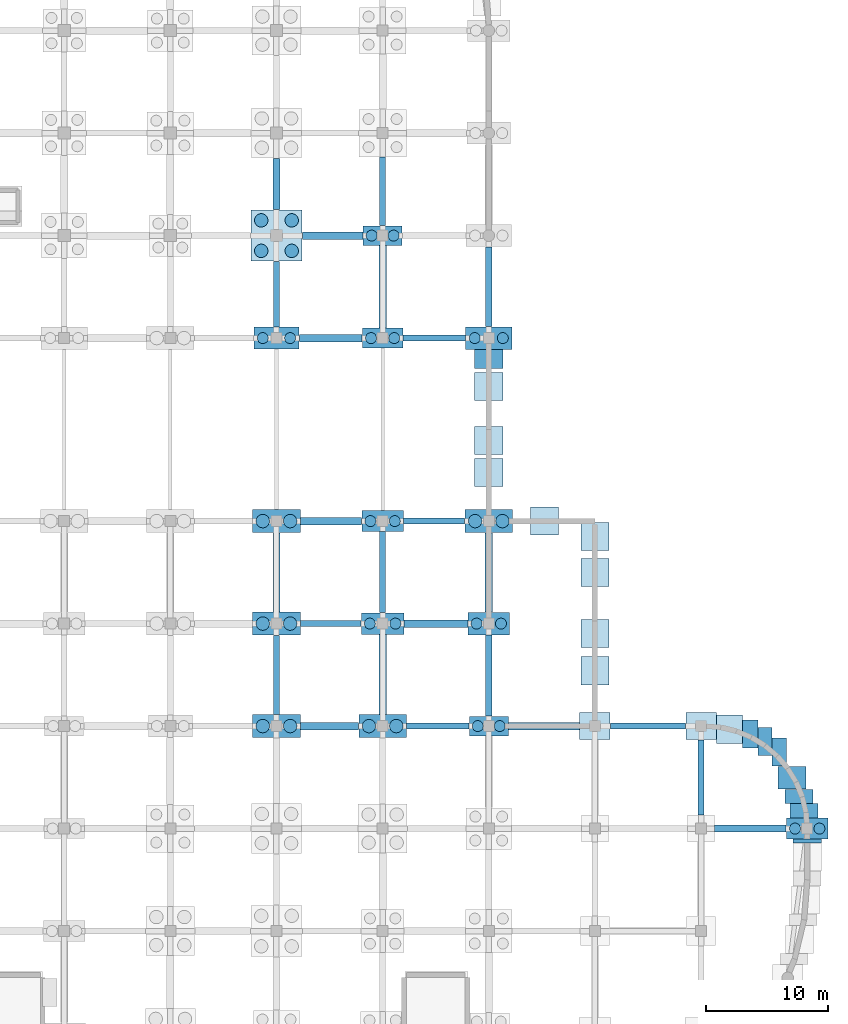
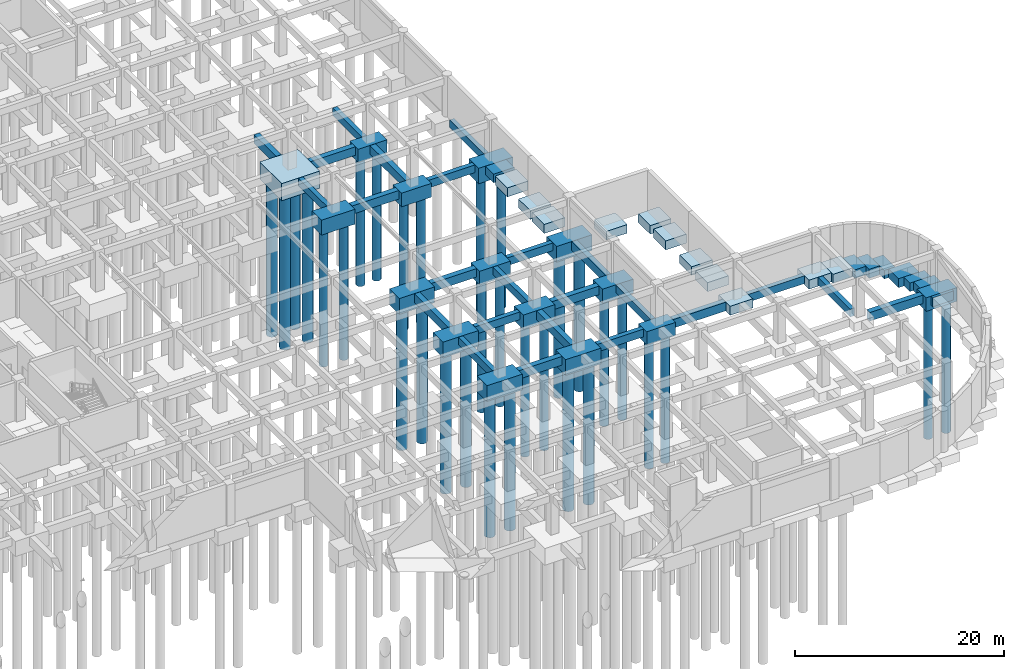
# One storey, part 13 of 33: 58 footings, 32 piles.
"""IFC4 building model written with IfcOpenShell, lengths in metres."""

from ifc_helpers import new_model, si_unit, derived_unit, direction, frame, origin, origin_2d, place, context, subcontext, project, spatial, rectangle, circle, extrude, material, material_profile, profile_set, type_object, element, save


model = new_model("IFC4")

# Units and contexts
model_context = context("Model", 3, precision=1e-05, world=origin(), true_north=direction((0.0, 1.0)))
body_context = subcontext(model_context, "Body", "Model", "MODEL_VIEW")
ifc_project = project(units=[si_unit("LENGTHUNIT", "METRE"), si_unit("AREAUNIT", "SQUARE_METRE"), si_unit("VOLUMEUNIT", "CUBIC_METRE"), si_unit("PLANEANGLEUNIT", "RADIAN"), si_unit("MASSUNIT", "GRAM", prefix="KILO"), derived_unit("THERMALTRANSMITTANCEUNIT", [(si_unit("MASSUNIT", "GRAM", prefix="KILO"), 1), (si_unit("TIMEUNIT", "SECOND"), -3), (si_unit("THERMODYNAMICTEMPERATUREUNIT", "KELVIN"), -1)])], contexts=[model_context])

# Site, building, storey
site_placement = place(None, origin())
site = spatial("IfcSite", under=ifc_project, at=site_placement, CompositionType="ELEMENT")
building_placement = place(site_placement, origin())
building = spatial("IfcBuilding", under=site, at=building_placement, Name="Qinzheling Arcade Emporium", CompositionType="ELEMENT")
storey_placement = place(building_placement, frame((0.0, 0.0, -9.60009765625)))
storey = spatial("IfcBuildingStorey", under=building, at=storey_placement, Name="B2", CompositionType="ELEMENT", Elevation=-9.60009765625)

# Footings
ifc_material = material(Name="Concrete C40", Category="concrete")
footing_type_1 = type_object("IfcFootingType", Name="Arcade Pad Footing 2400x2400x1050 C40", PredefinedType="PAD_FOOTING", material=ifc_material)
for number, where, z_axis, x_axis, name in (
    (1, (147.89990234375, 61.425048828125, -1.0498046875), (0.0, 0.0, 1.0), (1.0, 0.0, 0.0), "Retaining Wall Pad Footing FND-PF-RW-049"),
    (2, (147.89990234375, 54.375, -1.0498046875), (0.0, 0.0, 1.0), (1.0, 0.0, 0.0), "Retaining Wall Pad Footing FND-PF-RW-051"),
):
    element("IfcFooting", number, at=place(storey_placement, frame(where, z_axis=z_axis, x_axis=x_axis)), inside=storey, type_object=footing_type_1, Name=name, PredefinedType="PAD_FOOTING", context=body_context, shape_type="SweptSolid", body=[
        extrude(rectangle(XDim=2.300048828125, YDim=2.300048828125, at=origin_2d()), origin(), (0.0, 0.0, 1.0), 1.050048828125),
    ])
footing_1_placement = place(storey_placement, frame((167.631103515625, 33.343017578125, -1.0498046875), z_axis=(0.0, 0.0, 1.0), x_axis=(1.0, 0.0, 0.0)))
element("IfcFooting", 3, at=footing_1_placement, inside=storey, type_object=footing_type_1, Name="Retaining Wall Pad Footing FND-PF-RW-053", PredefinedType="PAD_FOOTING", context=body_context, shape_type="SweptSolid", body=[
    extrude(rectangle(XDim=2.14892578125, YDim=2.300048828125, at=origin_2d()), origin(), (0.0, 0.0, 1.0), 1.050048828125),
])
footing_2_placement = place(storey_placement, frame((170.54296875, 32.340087890625, -1.0498046875), z_axis=(0.0, 0.0, 1.0), x_axis=(1.0, 0.0, 0.0)))
element("IfcFooting", 4, at=footing_2_placement, inside=storey, type_object=footing_type_1, Name="Retaining Wall Pad Footing FND-PF-RW-055", PredefinedType="PAD_FOOTING", context=body_context, shape_type="SweptSolid", body=[
    extrude(rectangle(XDim=1.1650390625, YDim=2.300048828125, at=origin_2d()), origin(), (0.0, 0.0, 1.0), 1.050048828125),
])
footing_3_placement = place(storey_placement, frame((172.739990234375, 29.364990234375, -1.0498046875), z_axis=(0.0, 0.0, 1.0), x_axis=(1.0, 0.0, 0.0)))
element("IfcFooting", 5, at=footing_3_placement, inside=storey, type_object=footing_type_1, Name="Retaining Wall Pad Footing FND-PF-RW-057", PredefinedType="PAD_FOOTING", context=body_context, shape_type="SweptSolid", body=[
    extrude(rectangle(XDim=2.300048828125, YDim=1.8798828125, at=origin_2d()), origin(), (0.0, 0.0, 1.0), 1.050048828125),
])
footing_4_placement = place(storey_placement, frame((173.742919921875, 26.652099609375, -1.0498046875), z_axis=(0.0, 0.0, 1.0), x_axis=(1.0, 0.0, 0.0)))
element("IfcFooting", 6, at=footing_4_placement, inside=storey, type_object=footing_type_1, Name="Retaining Wall Pad Footing FND-PF-RW-059", PredefinedType="PAD_FOOTING", context=body_context, shape_type="SweptSolid", body=[
    extrude(rectangle(XDim=2.300048828125, YDim=1.193115234375, at=origin_2d()), origin(), (0.0, 0.0, 1.0), 1.050048828125),
])
footing_5_placement = place(storey_placement, frame((174.0, 24.18701171875, -1.0498046875), z_axis=(0.0, 0.0, 1.0), x_axis=(1.0, 0.0, 0.0)))
element("IfcFooting", 7, at=footing_5_placement, inside=storey, type_object=footing_type_1, Name="Retaining Wall Pad Footing FND-PF-RW-061", PredefinedType="PAD_FOOTING", context=body_context, shape_type="SweptSolid", body=[
    extrude(rectangle(XDim=2.300048828125, YDim=0.31396484375, at=origin_2d()), origin(), (0.0, 0.0, 1.0), 1.050048828125),
])
footing_6_placement = place(storey_placement, frame((156.60009765625, 46.180908203125, -1.0498046875), z_axis=(0.0, 0.0, 1.0), x_axis=(1.0, 0.0, 0.0)))
element("IfcFooting", 8, at=footing_6_placement, inside=storey, type_object=footing_type_1, Name="Retaining Wall Pad Footing FND-PF-RW-089", PredefinedType="PAD_FOOTING", context=body_context, shape_type="SweptSolid", body=[
    extrude(rectangle(XDim=2.300048828125, YDim=2.299072265625, at=origin_2d()), origin(), (0.0, 0.0, 1.0), 1.050048828125),
])
footing_7_placement = place(storey_placement, frame((156.60009765625, 38.137939453125, -1.0498046875), z_axis=(0.0, 0.0, 1.0), x_axis=(1.0, 0.0, 0.0)))
element("IfcFooting", 9, at=footing_7_placement, inside=storey, type_object=footing_type_1, Name="Retaining Wall Pad Footing FND-PF-RW-091", PredefinedType="PAD_FOOTING", context=body_context, shape_type="SweptSolid", body=[
    extrude(rectangle(XDim=2.300048828125, YDim=2.300048828125, at=origin_2d()), origin(), (0.0, 0.0, 1.0), 1.050048828125),
])
footing_type_2 = type_object("IfcFootingType", Name="Foundation Tie Beam 500x900 C40", PredefinedType="FOOTING_BEAM", material=ifc_material)
footing_8_placement = place(storey_placement, frame((143.72509765625, 33.60009765625, -0.89990234375), z_axis=(0.0, 0.0, 1.0), x_axis=(1.0, 0.0, 0.0)))
element("IfcFooting", 10, at=footing_8_placement, inside=storey, type_object=footing_type_2, Name="Foundation Tie FND-FB-069", PredefinedType="FOOTING_BEAM", context=body_context, shape_type="SweptSolid", body=[
    extrude(rectangle(XDim=5.110107421875, YDim=0.5, at=origin_2d()), origin(), (0.0, 0.0, 1.0), 0.89990234375),
])
footing_9_placement = place(storey_placement, frame((160.949951171875, 33.60009765625, -0.89990234375), z_axis=(0.0, 0.0, 1.0), x_axis=(1.0, 0.0, 0.0)))
element("IfcFooting", 11, at=footing_9_placement, inside=storey, type_object=footing_type_2, Name="Foundation Tie FND-FB-071", PredefinedType="FOOTING_BEAM", context=body_context, shape_type="SweptSolid", body=[
    extrude(rectangle(XDim=6.159912109375, YDim=0.5, at=origin_2d()), origin(), (0.0, 0.0, 1.0), 0.89990234375),
])
footing_10_placement = place(storey_placement, frame((134.949951171875, 42.0, -0.89990234375), z_axis=(0.0, 0.0, 1.0), x_axis=(1.0, 0.0, 0.0)))
element("IfcFooting", 12, at=footing_10_placement, inside=storey, type_object=footing_type_2, Name="Foundation Tie FND-FB-087", PredefinedType="FOOTING_BEAM", context=body_context, shape_type="SweptSolid", body=[
    extrude(rectangle(XDim=4.9599609375, YDim=0.5, at=origin_2d()), origin(), (0.0, 0.0, 1.0), 0.89990234375),
])
footing_11_placement = place(storey_placement, frame((143.425048828125, 50.39990234375, -0.89990234375), z_axis=(0.0, 0.0, 1.0), x_axis=(1.0, 0.0, 0.0)))
element("IfcFooting", 13, at=footing_11_placement, inside=storey, type_object=footing_type_2, Name="Foundation Tie FND-FB-105", PredefinedType="FOOTING_BEAM", context=body_context, shape_type="SweptSolid", body=[
    extrude(rectangle(XDim=5.010009765625, YDim=0.5, at=origin_2d()), origin(), (0.0, 0.0, 1.0), 0.89990234375),
])
footing_12_placement = place(storey_placement, frame((143.425048828125, 65.39990234375, -0.89990234375), z_axis=(0.0, 0.0, 1.0), x_axis=(1.0, 0.0, 0.0)))
element("IfcFooting", 14, at=footing_12_placement, inside=storey, type_object=footing_type_2, Name="Foundation Tie FND-FB-119", PredefinedType="FOOTING_BEAM", context=body_context, shape_type="SweptSolid", body=[
    extrude(rectangle(XDim=5.110107421875, YDim=0.5, at=origin_2d()), origin(), (0.0, 0.0, 1.0), 0.89990234375),
])
footing_13_placement = place(storey_placement, frame((130.5, 37.800048828125, -0.89990234375), z_axis=(0.0, 0.0, 1.0), x_axis=(1.0, 0.0, 0.0)))
element("IfcFooting", 15, at=footing_13_placement, inside=storey, type_object=footing_type_2, Name="Foundation Tie FND-FB-313", PredefinedType="FOOTING_BEAM", context=body_context, shape_type="SweptSolid", body=[
    extrude(rectangle(XDim=0.5, YDim=6.4599609375, at=origin_2d()), origin(), (0.0, 0.0, 1.0), 0.89990234375),
])
footing_14_placement = place(storey_placement, frame((130.5, 69.0, -0.89990234375), z_axis=(0.0, 0.0, 1.0), x_axis=(1.0, 0.0, 0.0)))
element("IfcFooting", 16, at=footing_14_placement, inside=storey, type_object=footing_type_2, Name="Foundation Tie FND-FB-315", PredefinedType="FOOTING_BEAM", context=body_context, shape_type="SweptSolid", body=[
    extrude(rectangle(XDim=0.5, YDim=5.360107421875, at=origin_2d()), origin(), (0.0, 0.0, 1.0), 0.89990234375),
])
footing_15_placement = place(storey_placement, frame((139.199951171875, 46.212890625, -0.89990234375), z_axis=(0.0, 0.0, 1.0), x_axis=(1.0, 0.0, 0.0)))
element("IfcFooting", 17, at=footing_15_placement, inside=storey, type_object=footing_type_2, Name="Foundation Tie FND-FB-325", PredefinedType="FOOTING_BEAM", context=body_context, shape_type="SweptSolid", body=[
    extrude(rectangle(XDim=0.5, YDim=6.635009765625, at=origin_2d()), origin(), (0.0, 0.0, 1.0), 0.89990234375),
])
footing_16_placement = place(storey_placement, frame((139.199951171875, 77.425048828125, -0.89990234375), z_axis=(0.0, 0.0, 1.0), x_axis=(1.0, 0.0, 0.0)))
element("IfcFooting", 18, at=footing_16_placement, inside=storey, type_object=footing_type_2, Name="Foundation Tie FND-FB-327", PredefinedType="FOOTING_BEAM", context=body_context, shape_type="SweptSolid", body=[
    extrude(rectangle(XDim=0.5, YDim=5.610107421875, at=origin_2d()), origin(), (0.0, 0.0, 1.0), 0.89990234375),
])
footing_17_placement = place(storey_placement, frame((147.89990234375, 37.737060546875, -0.89990234375), z_axis=(0.0, 0.0, 1.0), x_axis=(1.0, 0.0, 0.0)))
element("IfcFooting", 19, at=footing_17_placement, inside=storey, type_object=footing_type_2, Name="Foundation Tie FND-FB-335", PredefinedType="FOOTING_BEAM", context=body_context, shape_type="SweptSolid", body=[
    extrude(rectangle(XDim=0.5, YDim=6.635009765625, at=origin_2d()), origin(), (0.0, 0.0, 1.0), 0.89990234375),
])
footing_18_placement = place(storey_placement, frame((147.89990234375, 69.612060546875, -0.89990234375), z_axis=(0.0, 0.0, 1.0), x_axis=(1.0, 0.0, 0.0)))
element("IfcFooting", 20, at=footing_18_placement, inside=storey, type_object=footing_type_2, Name="Foundation Tie FND-FB-337", PredefinedType="FOOTING_BEAM", context=body_context, shape_type="SweptSolid", body=[
    extrude(rectangle(XDim=0.5, YDim=6.534912109375, at=origin_2d()), origin(), (0.0, 0.0, 1.0), 0.89990234375),
])
footing_19_placement = place(storey_placement, frame((165.300048828125, 29.39990234375, -0.89990234375), z_axis=(0.0, 0.0, 1.0), x_axis=(1.0, 0.0, 0.0)))
element("IfcFooting", 21, at=footing_19_placement, inside=storey, type_object=footing_type_2, Name="Foundation Tie FND-FB-345", PredefinedType="FOOTING_BEAM", context=body_context, shape_type="SweptSolid", body=[
    extrude(rectangle(XDim=0.5, YDim=6.159912109375, at=origin_2d()), origin(), (0.0, 0.0, 1.0), 0.89990234375),
])
footing_type_3 = type_object("IfcFootingType", Name="Foundation Tie Beam 600x1000 C40", PredefinedType="FOOTING_BEAM", material=ifc_material)
footing_20_placement = place(storey_placement, frame((169.35009765625, 25.199951171875, -1.0), z_axis=(0.0, 0.0, 1.0), x_axis=(1.0, 0.0, 0.0)))
element("IfcFooting", 22, at=footing_20_placement, inside=storey, type_object=footing_type_3, Name="Foundation Tie FND-FB-052", PredefinedType="FOOTING_BEAM", context=body_context, shape_type="SweptSolid", body=[
    extrude(rectangle(XDim=5.860107421875, YDim=0.60009765625, at=origin_2d()), origin(), (0.0, 0.0, 1.0), 1.0),
])
footing_21_placement = place(storey_placement, frame((134.85009765625, 33.60009765625, -1.0), z_axis=(0.0, 0.0, 1.0), x_axis=(1.0, 0.0, 0.0)))
element("IfcFooting", 23, at=footing_21_placement, inside=storey, type_object=footing_type_3, Name="Foundation Tie FND-FB-068", PredefinedType="FOOTING_BEAM", context=body_context, shape_type="SweptSolid", body=[
    extrude(rectangle(XDim=4.760009765625, YDim=0.60009765625, at=origin_2d()), origin(), (0.0, 0.0, 1.0), 1.0),
])
footing_22_placement = place(storey_placement, frame((152.425048828125, 33.60009765625, -1.0), z_axis=(0.0, 0.0, 1.0), x_axis=(1.0, 0.0, 0.0)))
element("IfcFooting", 24, at=footing_22_placement, inside=storey, type_object=footing_type_3, Name="Foundation Tie FND-FB-070", PredefinedType="FOOTING_BEAM", context=body_context, shape_type="SweptSolid", body=[
    extrude(rectangle(XDim=5.81005859375, YDim=0.60009765625, at=origin_2d()), origin(), (0.0, 0.0, 1.0), 1.0),
])
footing_23_placement = place(storey_placement, frame((143.574951171875, 42.0, -1.0), z_axis=(0.0, 0.0, 1.0), x_axis=(1.0, 0.0, 0.0)))
element("IfcFooting", 25, at=footing_23_placement, inside=storey, type_object=footing_type_3, Name="Foundation Tie FND-FB-088", PredefinedType="FOOTING_BEAM", context=body_context, shape_type="SweptSolid", body=[
    extrude(rectangle(XDim=5.2099609375, YDim=0.60009765625, at=origin_2d()), origin(), (0.0, 0.0, 1.0), 1.0),
])
footing_24_placement = place(storey_placement, frame((134.97509765625, 50.39990234375, -1.0), z_axis=(0.0, 0.0, 1.0), x_axis=(1.0, 0.0, 0.0)))
element("IfcFooting", 26, at=footing_24_placement, inside=storey, type_object=footing_type_3, Name="Foundation Tie FND-FB-104", PredefinedType="FOOTING_BEAM", context=body_context, shape_type="SweptSolid", body=[
    extrude(rectangle(XDim=5.010009765625, YDim=0.60009765625, at=origin_2d()), origin(), (0.0, 0.0, 1.0), 1.0),
])
footing_25_placement = place(storey_placement, frame((134.949951171875, 65.39990234375, -1.0), z_axis=(0.0, 0.0, 1.0), x_axis=(1.0, 0.0, 0.0)))
element("IfcFooting", 27, at=footing_25_placement, inside=storey, type_object=footing_type_3, Name="Foundation Tie FND-FB-118", PredefinedType="FOOTING_BEAM", context=body_context, shape_type="SweptSolid", body=[
    extrude(rectangle(XDim=5.159912109375, YDim=0.60009765625, at=origin_2d()), origin(), (0.0, 0.0, 1.0), 1.0),
])
footing_26_placement = place(storey_placement, frame((135.10009765625, 73.800048828125, -1.0), z_axis=(0.0, 0.0, 1.0), x_axis=(1.0, 0.0, 0.0)))
element("IfcFooting", 28, at=footing_26_placement, inside=storey, type_object=footing_type_3, Name="Foundation Tie FND-FB-132", PredefinedType="FOOTING_BEAM", context=body_context, shape_type="SweptSolid", body=[
    extrude(rectangle(XDim=4.9599609375, YDim=0.60009765625, at=origin_2d()), origin(), (0.0, 0.0, 1.0), 1.0),
])
footing_27_placement = place(storey_placement, frame((130.5, 46.199951171875, -1.0), z_axis=(0.0, 0.0, 1.0), x_axis=(1.0, 0.0, 0.0)))
element("IfcFooting", 29, at=footing_27_placement, inside=storey, type_object=footing_type_3, Name="Foundation Tie FND-FB-314", PredefinedType="FOOTING_BEAM", context=body_context, shape_type="SweptSolid", body=[
    extrude(rectangle(XDim=0.60009765625, YDim=6.4599609375, at=origin_2d()), origin(), (0.0, 0.0, 1.0), 1.0),
])
footing_28_placement = place(storey_placement, frame((130.5, 78.02490234375, -1.0), z_axis=(0.0, 0.0, 1.0), x_axis=(1.0, 0.0, 0.0)))
element("IfcFooting", 30, at=footing_28_placement, inside=storey, type_object=footing_type_3, Name="Foundation Tie FND-FB-316", PredefinedType="FOOTING_BEAM", context=body_context, shape_type="SweptSolid", body=[
    extrude(rectangle(XDim=0.60009765625, YDim=4.2099609375, at=origin_2d()), origin(), (0.0, 0.0, 1.0), 1.0),
])
footing_29_placement = place(storey_placement, frame((139.199951171875, 37.8369140625, -1.0), z_axis=(0.0, 0.0, 1.0), x_axis=(1.0, 0.0, 0.0)))
element("IfcFooting", 31, at=footing_29_placement, inside=storey, type_object=footing_type_3, Name="Foundation Tie FND-FB-324", PredefinedType="FOOTING_BEAM", context=body_context, shape_type="SweptSolid", body=[
    extrude(rectangle(XDim=0.60009765625, YDim=6.534912109375, at=origin_2d()), origin(), (0.0, 0.0, 1.0), 1.0),
])
footing_30_placement = place(storey_placement, frame((139.199951171875, 69.613037109375, -1.0), z_axis=(0.0, 0.0, 1.0), x_axis=(1.0, 0.0, 0.0)))
element("IfcFooting", 32, at=footing_30_placement, inside=storey, type_object=footing_type_3, Name="Foundation Tie FND-FB-326", PredefinedType="FOOTING_BEAM", context=body_context, shape_type="SweptSolid", body=[
    extrude(rectangle(XDim=0.60009765625, YDim=6.735107421875, at=origin_2d()), origin(), (0.0, 0.0, 1.0), 1.0),
])
footing_31_placement = place(storey_placement, frame((147.89990234375, 46.18798828125, -1.0), z_axis=(0.0, 0.0, 1.0), x_axis=(1.0, 0.0, 0.0)))
element("IfcFooting", 33, at=footing_31_placement, inside=storey, type_object=footing_type_3, Name="Foundation Tie FND-FB-336", PredefinedType="FOOTING_BEAM", context=body_context, shape_type="SweptSolid", body=[
    extrude(rectangle(XDim=0.60009765625, YDim=6.485107421875, at=origin_2d()), origin(), (0.0, 0.0, 1.0), 1.0),
])
footing_type_4 = type_object("IfcFootingType", Name="Four-Pile Heavy Cap 4200x4200x2000 C40", PredefinedType="PILE_CAP", material=ifc_material)
footing_32_placement = place(storey_placement, frame((130.5, 73.800048828125, -2.0), z_axis=(0.0, 0.0, 1.0), x_axis=(1.0, 0.0, 0.0)))
element("IfcFooting", 34, at=footing_32_placement, inside=storey, type_object=footing_type_4, Name="Pile Cap FND-PC-166", PredefinedType="PILE_CAP", context=body_context, shape_type="SweptSolid", body=[
    extrude(rectangle(XDim=4.199951171875, YDim=4.199951171875, at=origin_2d()), origin(), (0.0, 0.0, 1.0), 2.0),
])
footing_type_5 = type_object("IfcFootingType", Name="Loggia Pad Footing 2200x2200x1000 C40", PredefinedType="PAD_FOOTING", material=ifc_material)
footing_33_placement = place(storey_placement, frame((147.89990234375, 63.693115234375, -1.0), z_axis=(0.0, 0.0, 1.0), x_axis=(1.0, 0.0, 0.0)))
element("IfcFooting", 35, at=footing_33_placement, inside=storey, type_object=footing_type_5, Name="Retaining Wall Pad Footing FND-PF-RW-050", PredefinedType="PAD_FOOTING", context=body_context, shape_type="SweptSolid", body=[
    extrude(rectangle(XDim=2.300048828125, YDim=1.552001953125, at=origin_2d()), origin(), (0.0, 0.0, 1.0), 1.0),
])
footing_34_placement = place(storey_placement, frame((147.89990234375, 57.01708984375, -1.0), z_axis=(0.0, 0.0, 1.0), x_axis=(1.0, 0.0, 0.0)))
element("IfcFooting", 36, at=footing_34_placement, inside=storey, type_object=footing_type_5, Name="Retaining Wall Pad Footing FND-PF-RW-052", PredefinedType="PAD_FOOTING", context=body_context, shape_type="SweptSolid", body=[
    extrude(rectangle(XDim=2.300048828125, YDim=2.300048828125, at=origin_2d()), origin(), (0.0, 0.0, 1.0), 1.0),
])
footing_35_placement = place(storey_placement, frame((169.3330078125, 32.93603515625, -1.0), z_axis=(0.0, 0.0, 1.0), x_axis=(1.0, 0.0, 0.0)))
element("IfcFooting", 37, at=footing_35_placement, inside=storey, type_object=footing_type_5, Name="Retaining Wall Pad Footing FND-PF-RW-054", PredefinedType="PAD_FOOTING", context=body_context, shape_type="SweptSolid", body=[
    extrude(rectangle(XDim=1.243896484375, YDim=2.300048828125, at=origin_2d()), origin(), (0.0, 0.0, 1.0), 1.0),
])
footing_36_placement = place(storey_placement, frame((171.722900390625, 31.4609375, -1.0), z_axis=(0.0, 0.0, 1.0), x_axis=(1.0, 0.0, 0.0)))
element("IfcFooting", 38, at=footing_36_placement, inside=storey, type_object=footing_type_5, Name="Retaining Wall Pad Footing FND-PF-RW-056", PredefinedType="PAD_FOOTING", context=body_context, shape_type="SweptSolid", body=[
    extrude(rectangle(XDim=1.181884765625, YDim=2.300048828125, at=origin_2d()), origin(), (0.0, 0.0, 1.0), 1.0),
])
footing_37_placement = place(storey_placement, frame((173.3369140625, 27.8369140625, -1.0), z_axis=(0.0, 0.0, 1.0), x_axis=(1.0, 0.0, 0.0)))
element("IfcFooting", 39, at=footing_37_placement, inside=storey, type_object=footing_type_5, Name="Retaining Wall Pad Footing FND-PF-RW-058", PredefinedType="PAD_FOOTING", context=body_context, shape_type="SweptSolid", body=[
    extrude(rectangle(XDim=2.301025390625, YDim=1.1640625, at=origin_2d()), origin(), (0.0, 0.0, 1.0), 1.0),
])
for number, where, z_axis, x_axis, name in (
    (40, (152.47607421875, 50.39990234375, -1.0), (0.0, 0.0, 1.0), (1.0, 0.0, 0.0), "Retaining Wall Pad Footing FND-PF-RW-088"),
    (41, (156.60009765625, 49.14697265625, -1.0), (0.0, 0.0, 1.0), (1.0, 0.0, 0.0), "Retaining Wall Pad Footing FND-PF-RW-090"),
):
    element("IfcFooting", number, at=place(storey_placement, frame(where, z_axis=z_axis, x_axis=x_axis)), inside=storey, type_object=footing_type_5, Name=name, PredefinedType="PAD_FOOTING", context=body_context, shape_type="SweptSolid", body=[
        extrude(rectangle(XDim=2.300048828125, YDim=2.300048828125, at=origin_2d()), origin(), (0.0, 0.0, 1.0), 1.0),
    ])
footing_38_placement = place(storey_placement, frame((156.60009765625, 41.202880859375, -1.0), z_axis=(0.0, 0.0, 1.0), x_axis=(1.0, 0.0, 0.0)))
element("IfcFooting", 42, at=footing_38_placement, inside=storey, type_object=footing_type_5, Name="Retaining Wall Pad Footing FND-PF-RW-092", PredefinedType="PAD_FOOTING", context=body_context, shape_type="SweptSolid", body=[
    extrude(rectangle(XDim=2.300048828125, YDim=2.299072265625, at=origin_2d()), origin(), (0.0, 0.0, 1.0), 1.0),
])
footing_type_6 = type_object("IfcFootingType", Name="Pavilion Pad Footing 2500x2200x1050 C40", PredefinedType="PAD_FOOTING", material=ifc_material)
for number, where, z_axis, x_axis, name in (
    (43, (156.60009765625, 33.60009765625, -1.0498046875), (0.0, 0.0, 1.0), (1.0, 0.0, 0.0), "Pad Footing FND-PF-004"),
    (44, (165.300048828125, 33.60009765625, -1.0498046875), (0.0, 0.0, 1.0), (1.0, 0.0, 0.0), "Pad Footing FND-PF-008"),
):
    element("IfcFooting", number, at=place(storey_placement, frame(where, z_axis=z_axis, x_axis=x_axis)), inside=storey, type_object=footing_type_6, Name=name, PredefinedType="PAD_FOOTING", context=body_context, shape_type="SweptSolid", body=[
        extrude(rectangle(XDim=2.5, YDim=2.199951171875, at=origin_2d()), origin(), (0.0, 0.0, 1.0), 1.050048828125),
    ])

# Piles
ifc_material_profile_1 = material_profile(ifc_material, circle(Radius=0.550048828125, at=origin_2d()), Name="BORED D1100", Category="concrete")
ifc_profile_set_1 = profile_set([ifc_material_profile_1], Name="Concrete C40")
pile_type_1 = type_object("IfcPileType", Name="Rotary Bored Pile D1100 C40", PredefinedType="BORED", material=ifc_profile_set_1)
for number, where, z_axis, x_axis, name in (
    (45, (129.3798828125, 33.60009765625, -1.75), (0.0, 0.0, -1.0), (1.0, 0.0, 0.0), "Bored Pile FND-PL-0501"),
    (46, (131.6201171875, 33.60009765625, -1.75), (0.0, 0.0, -1.0), (1.0, 0.0, 0.0), "Bored Pile FND-PL-0502"),
    (47, (129.3798828125, 42.0, -1.75), (0.0, 0.0, -1.0), (1.0, 0.0, 0.0), "Bored Pile FND-PL-0503"),
    (48, (131.6201171875, 42.0, -1.75), (0.0, 0.0, -1.0), (1.0, 0.0, 0.0), "Bored Pile FND-PL-0504"),
    (49, (129.3798828125, 50.39990234375, -1.75), (0.0, 0.0, -1.0), (1.0, 0.0, 0.0), "Bored Pile FND-PL-0505"),
    (50, (131.6201171875, 50.39990234375, -1.75), (0.0, 0.0, -1.0), (1.0, 0.0, 0.0), "Bored Pile FND-PL-0506"),
):
    element("IfcPile", number, at=place(storey_placement, frame(where, z_axis=z_axis, x_axis=x_axis)), inside=storey, type_object=pile_type_1, Name=name, PredefinedType="BORED", context=body_context, shape_type="SweptSolid", body=[
        extrude(circle(Radius=0.550048828125, at=origin_2d()), origin(), (0.0, 0.0, 1.0), 16.5),
    ])
for number, where, z_axis, x_axis, name in (
    (51, (129.25, 72.550048828125, -1.89990234375), (0.0, 0.0, -1.0), (1.0, 0.0, 0.0), "Bored Pile FND-PL-0509"),
    (52, (131.75, 72.550048828125, -1.89990234375), (0.0, 0.0, -1.0), (1.0, 0.0, 0.0), "Bored Pile FND-PL-0510"),
    (53, (129.25, 75.050048828125, -1.89990234375), (0.0, 0.0, -1.0), (1.0, 0.0, 0.0), "Bored Pile FND-PL-0511"),
    (54, (131.75, 75.050048828125, -1.89990234375), (0.0, 0.0, -1.0), (1.0, 0.0, 0.0), "Bored Pile FND-PL-0512"),
):
    element("IfcPile", number, at=place(storey_placement, frame(where, z_axis=z_axis, x_axis=x_axis)), inside=storey, type_object=pile_type_1, Name=name, PredefinedType="BORED", context=body_context, shape_type="SweptSolid", body=[
        extrude(circle(Radius=0.550048828125, at=origin_2d()), origin(), (0.0, 0.0, 1.0), 18.0),
    ])
for number, where, z_axis, x_axis, name in (
    (55, (138.080078125, 33.60009765625, -1.75), (0.0, 0.0, -1.0), (1.0, 0.0, 0.0), "Bored Pile FND-PL-0541"),
    (56, (140.320068359375, 33.60009765625, -1.75), (0.0, 0.0, -1.0), (1.0, 0.0, 0.0), "Bored Pile FND-PL-0542"),
    (57, (146.780029296875, 50.39990234375, -1.75), (0.0, 0.0, -1.0), (1.0, 0.0, 0.0), "Bored Pile FND-PL-0581"),
    (58, (149.02001953125, 50.39990234375, -1.75), (0.0, 0.0, -1.0), (1.0, 0.0, 0.0), "Bored Pile FND-PL-0582"),
):
    element("IfcPile", number, at=place(storey_placement, frame(where, z_axis=z_axis, x_axis=x_axis)), inside=storey, type_object=pile_type_1, Name=name, PredefinedType="BORED", context=body_context, shape_type="SweptSolid", body=[
        extrude(circle(Radius=0.550048828125, at=origin_2d()), origin(), (0.0, 0.0, 1.0), 16.5),
    ])
ifc_material_profile_2 = material_profile(ifc_material, circle(Radius=0.449951171875, at=origin_2d()), Name="BORED D900", Category="concrete")
ifc_profile_set_2 = profile_set([ifc_material_profile_2], Name="Concrete C40")
pile_type_2 = type_object("IfcPileType", Name="Rotary Bored Pile D900 C40", PredefinedType="BORED", material=ifc_profile_set_2)
for number, where, z_axis, x_axis, name in (
    (59, (129.3798828125, 65.39990234375, -1.64990234375), (0.0, 0.0, -1.0), (1.0, 0.0, 0.0), "Bored Pile FND-PL-0507"),
    (60, (131.6201171875, 65.39990234375, -1.64990234375), (0.0, 0.0, -1.0), (1.0, 0.0, 0.0), "Bored Pile FND-PL-0508"),
):
    element("IfcPile", number, at=place(storey_placement, frame(where, z_axis=z_axis, x_axis=x_axis)), inside=storey, type_object=pile_type_2, Name=name, PredefinedType="BORED", context=body_context, shape_type="SweptSolid", body=[
        extrude(circle(Radius=0.449951171875, at=origin_2d()), origin(), (0.0, 0.0, 1.0), 16.0),
    ])
for number, where, z_axis, x_axis, name in (
    (61, (138.14990234375, 42.0, -1.5498046875), (0.0, 0.0, -1.0), (1.0, 0.0, 0.0), "Bored Pile FND-PL-0543"),
    (62, (140.25, 42.0, -1.5498046875), (0.0, 0.0, -1.0), (1.0, 0.0, 0.0), "Bored Pile FND-PL-0544"),
    (63, (138.199951171875, 50.39990234375, -1.5), (0.0, 0.0, -1.0), (1.0, 0.0, 0.0), "Bored Pile FND-PL-0545"),
    (64, (140.199951171875, 50.39990234375, -1.5), (0.0, 0.0, -1.0), (1.0, 0.0, 0.0), "Bored Pile FND-PL-0546"),
):
    element("IfcPile", number, at=place(storey_placement, frame(where, z_axis=z_axis, x_axis=x_axis)), inside=storey, type_object=pile_type_2, Name=name, PredefinedType="BORED", context=body_context, shape_type="SweptSolid", body=[
        extrude(circle(Radius=0.449951171875, at=origin_2d()), origin(), (0.0, 0.0, 1.0), 15.5),
    ])
for number, where, z_axis, x_axis, name in (
    (65, (138.25, 65.39990234375, -1.5), (0.0, 0.0, -1.0), (1.0, 0.0, 0.0), "Bored Pile FND-PL-0547"),
    (66, (140.14990234375, 65.39990234375, -1.5), (0.0, 0.0, -1.0), (1.0, 0.0, 0.0), "Bored Pile FND-PL-0548"),
    (67, (138.300048828125, 73.800048828125, -1.449951171875), (0.0, 0.0, -1.0), (1.0, 0.0, 0.0), "Bored Pile FND-PL-0549"),
    (68, (140.10009765625, 73.800048828125, -1.449951171875), (0.0, 0.0, -1.0), (1.0, 0.0, 0.0), "Bored Pile FND-PL-0550"),
    (69, (147.0, 33.60009765625, -1.449951171875), (0.0, 0.0, -1.0), (1.0, 0.0, 0.0), "Bored Pile FND-PL-0577"),
    (70, (148.800048828125, 33.60009765625, -1.449951171875), (0.0, 0.0, -1.0), (1.0, 0.0, 0.0), "Bored Pile FND-PL-0578"),
    (71, (146.89990234375, 42.0, -1.5498046875), (0.0, 0.0, -1.0), (1.0, 0.0, 0.0), "Bored Pile FND-PL-0579"),
    (72, (148.89990234375, 42.0, -1.5498046875), (0.0, 0.0, -1.0), (1.0, 0.0, 0.0), "Bored Pile FND-PL-0580"),
):
    element("IfcPile", number, at=place(storey_placement, frame(where, z_axis=z_axis, x_axis=x_axis)), inside=storey, type_object=pile_type_2, Name=name, PredefinedType="BORED", context=body_context, shape_type="SweptSolid", body=[
        extrude(circle(Radius=0.449951171875, at=origin_2d()), origin(), (0.0, 0.0, 1.0), 15.0),
    ])
for number, where, z_axis, x_axis, name in (
    (73, (146.75, 65.39990234375, -1.699951171875), (0.0, 0.0, -1.0), (1.0, 0.0, 0.0), "Bored Pile FND-PL-0583"),
    (74, (149.050048828125, 65.39990234375, -1.699951171875), (0.0, 0.0, -1.0), (1.0, 0.0, 0.0), "Bored Pile FND-PL-0584"),
):
    element("IfcPile", number, at=place(storey_placement, frame(where, z_axis=z_axis, x_axis=x_axis)), inside=storey, type_object=pile_type_2, Name=name, PredefinedType="BORED", context=body_context, shape_type="SweptSolid", body=[
        extrude(circle(Radius=0.449951171875, at=origin_2d()), origin(), (0.0, 0.0, 1.0), 16.0),
    ])
for number, where, z_axis, x_axis, name in (
    (75, (173.0, 25.199951171875, -1.5), (0.0, 0.0, -1.0), (1.0, 0.0, 0.0), "Bored Pile FND-PL-0591"),
    (76, (175.0, 25.199951171875, -1.5), (0.0, 0.0, -1.0), (1.0, 0.0, 0.0), "Bored Pile FND-PL-0592"),
):
    element("IfcPile", number, at=place(storey_placement, frame(where, z_axis=z_axis, x_axis=x_axis)), inside=storey, type_object=pile_type_2, Name=name, PredefinedType="BORED", context=body_context, shape_type="SweptSolid", body=[
        extrude(circle(Radius=0.449951171875, at=origin_2d()), origin(), (0.0, 0.0, 1.0), 15.5),
    ])

# Footings
footing_type_7 = type_object("IfcFootingType", Name="Two-Pile Court Cap 3300x1650x1600 C40", PredefinedType="PILE_CAP", material=ifc_material)
footing_39_placement = place(storey_placement, frame((139.199951171875, 65.39990234375, -1.599853515625), z_axis=(0.0, 0.0, 1.0), x_axis=(1.0, 0.0, 0.0)))
element("IfcFooting", 77, at=footing_39_placement, inside=storey, type_object=footing_type_7, Name="Pile Cap FND-PC-178", PredefinedType="PILE_CAP", context=body_context, shape_type="SweptSolid", body=[
    extrude(rectangle(XDim=3.300048828125, YDim=1.64990234375, at=origin_2d()), origin(), (0.0, 0.0, 1.0), 1.60009765625),
])
footing_type_8 = type_object("IfcFootingType", Name="Two-Pile Dock Cap 3800x1850x1800 C40", PredefinedType="PILE_CAP", material=ifc_material)
footing_40_placement = place(storey_placement, frame((147.89990234375, 65.39990234375, -1.7998046875), z_axis=(0.0, 0.0, 1.0), x_axis=(1.0, 0.0, 0.0)))
element("IfcFooting", 78, at=footing_40_placement, inside=storey, type_object=footing_type_8, Name="Pile Cap FND-PC-191", PredefinedType="PILE_CAP", context=body_context, shape_type="SweptSolid", body=[
    extrude(rectangle(XDim=3.800048828125, YDim=1.85009765625, at=origin_2d()), origin(), (0.0, 0.0, 1.0), 1.800048828125),
])
footing_type_9 = type_object("IfcFootingType", Name="Two-Pile Edge Cap 3400x1700x1600 C40", PredefinedType="PILE_CAP", material=ifc_material)
for number, where, z_axis, x_axis, name in (
    (79, (139.199951171875, 50.39990234375, -1.599853515625), (0.0, 0.0, 1.0), (1.0, 0.0, 0.0), "Pile Cap FND-PC-177"),
    (80, (174.0, 25.199951171875, -1.599853515625), (0.0, 0.0, 1.0), (1.0, 0.0, 0.0), "Pile Cap FND-PC-195"),
):
    element("IfcFooting", number, at=place(storey_placement, frame(where, z_axis=z_axis, x_axis=x_axis)), inside=storey, type_object=footing_type_9, Name=name, PredefinedType="PILE_CAP", context=body_context, shape_type="SweptSolid", body=[
        extrude(rectangle(XDim=3.39990234375, YDim=1.699951171875, at=origin_2d()), origin(), (0.0, 0.0, 1.0), 1.60009765625),
    ])
footing_type_10 = type_object("IfcFootingType", Name="Two-Pile Heavy Cap 3900x1900x1850 C40", PredefinedType="PILE_CAP", material=ifc_material)
for number, where, z_axis, x_axis, name in (
    (81, (130.5, 33.60009765625, -1.849853515625), (0.0, 0.0, 1.0), (1.0, 0.0, 0.0), "Pile Cap FND-PC-162"),
    (82, (130.5, 42.0, -1.849853515625), (0.0, 0.0, 1.0), (1.0, 0.0, 0.0), "Pile Cap FND-PC-163"),
    (83, (130.5, 50.39990234375, -1.849853515625), (0.0, 0.0, 1.0), (1.0, 0.0, 0.0), "Pile Cap FND-PC-164"),
    (84, (139.199951171875, 33.60009765625, -1.849853515625), (0.0, 0.0, 1.0), (1.0, 0.0, 0.0), "Pile Cap FND-PC-175"),
    (85, (147.89990234375, 50.39990234375, -1.849853515625), (0.0, 0.0, 1.0), (1.0, 0.0, 0.0), "Pile Cap FND-PC-190"),
):
    element("IfcFooting", number, at=place(storey_placement, frame(where, z_axis=z_axis, x_axis=x_axis)), inside=storey, type_object=footing_type_10, Name=name, PredefinedType="PILE_CAP", context=body_context, shape_type="SweptSolid", body=[
        extrude(rectangle(XDim=3.89990234375, YDim=1.89990234375, at=origin_2d()), origin(), (0.0, 0.0, 1.0), 1.85009765625),
    ])
footing_type_11 = type_object("IfcFootingType", Name="Two-Pile Pavilion Cap 3400x1850x1650 C40", PredefinedType="PILE_CAP", material=ifc_material)
footing_41_placement = place(storey_placement, frame((147.89990234375, 42.0, -1.64990234375), z_axis=(0.0, 0.0, 1.0), x_axis=(1.0, 0.0, 0.0)))
element("IfcFooting", 86, at=footing_41_placement, inside=storey, type_object=footing_type_11, Name="Pile Cap FND-PC-189", PredefinedType="PILE_CAP", context=body_context, shape_type="SweptSolid", body=[
    extrude(rectangle(XDim=3.39990234375, YDim=1.85009765625, at=origin_2d()), origin(), (0.0, 0.0, 1.0), 1.64990234375),
])
footing_type_12 = type_object("IfcFootingType", Name="Two-Pile Pier Cap 3200x1600x1550 C40", PredefinedType="PILE_CAP", material=ifc_material)
for number, where, z_axis, x_axis, name in (
    (87, (139.199951171875, 73.800048828125, -1.5498046875), (0.0, 0.0, 1.0), (1.0, 0.0, 0.0), "Pile Cap FND-PC-179"),
    (88, (147.89990234375, 33.60009765625, -1.5498046875), (0.0, 0.0, 1.0), (1.0, 0.0, 0.0), "Pile Cap FND-PC-188"),
):
    element("IfcFooting", number, at=place(storey_placement, frame(where, z_axis=z_axis, x_axis=x_axis)), inside=storey, type_object=footing_type_12, Name=name, PredefinedType="PILE_CAP", context=body_context, shape_type="SweptSolid", body=[
        extrude(rectangle(XDim=3.199951171875, YDim=1.60009765625, at=origin_2d()), origin(), (0.0, 0.0, 1.0), 1.550048828125),
    ])
footing_type_13 = type_object("IfcFootingType", Name="Two-Pile Spandrel Cap 3500x1750x1650 C40", PredefinedType="PILE_CAP", material=ifc_material)
footing_42_placement = place(storey_placement, frame((139.199951171875, 42.0, -1.64990234375), z_axis=(0.0, 0.0, 1.0), x_axis=(1.0, 0.0, 0.0)))
element("IfcFooting", 89, at=footing_42_placement, inside=storey, type_object=footing_type_13, Name="Pile Cap FND-PC-176", PredefinedType="PILE_CAP", context=body_context, shape_type="SweptSolid", body=[
    extrude(rectangle(XDim=3.5, YDim=1.75, at=origin_2d()), origin(), (0.0, 0.0, 1.0), 1.64990234375),
])
footing_type_14 = type_object("IfcFootingType", Name="Two-Pile Stockroom Cap 3700x1800x1750 C40", PredefinedType="PILE_CAP", material=ifc_material)
footing_43_placement = place(storey_placement, frame((130.5, 65.39990234375, -1.75), z_axis=(0.0, 0.0, 1.0), x_axis=(1.0, 0.0, 0.0)))
element("IfcFooting", 90, at=footing_43_placement, inside=storey, type_object=footing_type_14, Name="Pile Cap FND-PC-165", PredefinedType="PILE_CAP", context=body_context, shape_type="SweptSolid", body=[
    extrude(rectangle(XDim=3.699951171875, YDim=1.800048828125, at=origin_2d()), origin(), (0.0, 0.0, 1.0), 1.75),
])

save(model, "model.ifc")
